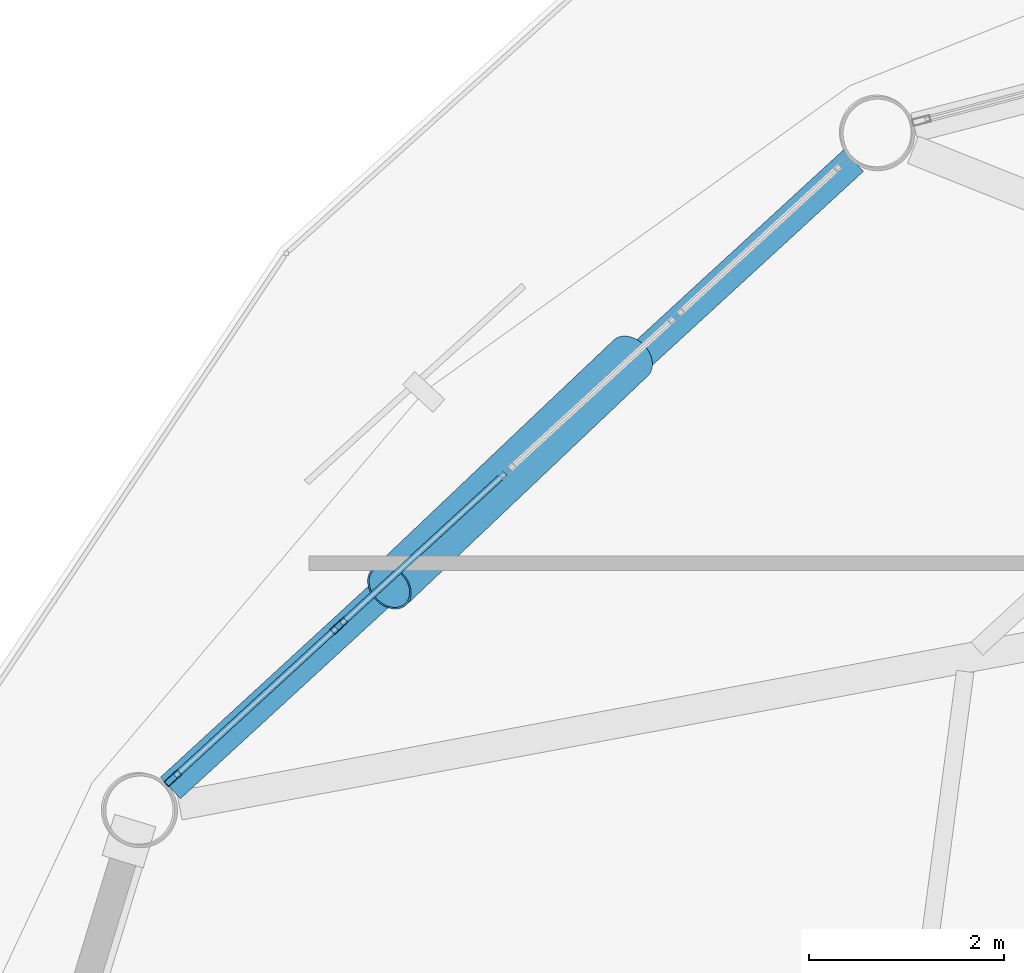
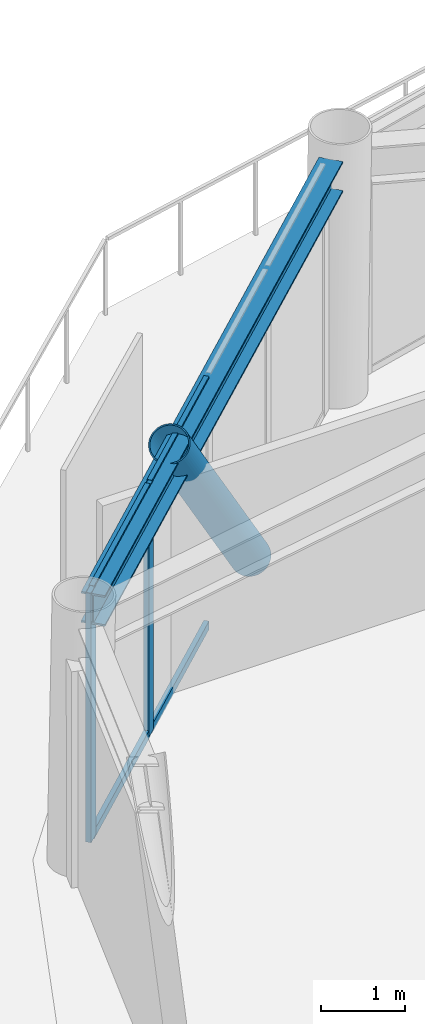
# One storey, part 10 of 23: 7 members, 1 beam, 1 element without a shape of its own.
"""IFC4 building model written with IfcOpenShell, lengths in metres."""

from ifc_helpers import new_model, si_unit, direction, frame, origin, origin_2d, place, context, subcontext, project, spatial, hollow_rectangle, hollow_circle, i_section, extrude, material, layer, layer_set, material_profile, profile_set, type_object, element, aggregate, save


model = new_model("IFC4")

# Units and contexts
model_context = context("Model", 3, precision=1e-05, world=origin(), true_north=direction((0.0, 1.0)))
body_context = subcontext(model_context, "Body", "Model", "MODEL_VIEW")
ifc_project = project(units=[si_unit("LENGTHUNIT", "METRE"), si_unit("AREAUNIT", "SQUARE_METRE"), si_unit("VOLUMEUNIT", "CUBIC_METRE"), si_unit("PLANEANGLEUNIT", "RADIAN"), si_unit("MASSUNIT", "GRAM", prefix="KILO")], contexts=[model_context])

# Site, building, storey
site_placement = place(None, origin())
site = spatial("IfcSite", under=ifc_project, at=site_placement, CompositionType="ELEMENT")
building_placement = place(site_placement, origin())
building = spatial("IfcBuilding", under=site, at=building_placement, Name="Varnakorn Sky Granary", CompositionType="ELEMENT")
storey_placement = place(building_placement, frame((0.0, 0.0, 150.0)))
storey = spatial("IfcBuildingStorey", under=building, at=storey_placement, Name="L37", CompositionType="ELEMENT", Elevation=150.0)

# Beam
ifc_material_1 = material(Name="Steel S355JR", Category="steel")
ifc_material_profile_1 = material_profile(ifc_material_1, i_section(OverallWidth=0.300048828125, OverallDepth=0.449951171875, WebThickness=0.013916015625, FlangeThickness=0.02587890625, at=origin_2d()), Name="HE 450 B")
ifc_profile_set_1 = profile_set([ifc_material_profile_1], Name="Steel S355JR")
beam_type = type_object("IfcBeamType", Name="BM-SPD-Z3", PredefinedType="SPANDREL", material=ifc_profile_set_1)
beam_placement = place(storey_placement, frame((-12.060546875, 16.12451171875, 3.4150390625), z_axis=(-0.736482578833, -0.676456510853, 0.0), x_axis=(0.676456510853, -0.736482578833, 0.0)))
element("IfcBeam", 1, at=beam_placement, inside=storey, type_object=beam_type, Name="Perimeter Spandrel Ring Beam RB05 L37", PredefinedType="SPANDREL", context=body_context, shape_type="SweptSolid", body=[
    extrude(i_section(OverallWidth=0.300048828125, OverallDepth=0.449951171875, WebThickness=0.013916015625, FlangeThickness=0.02587890625, at=origin_2d()), origin(), (0.0, 0.0, 1.0), 9.4970703125),
])

# Curtain wall, members
ifc_material_2 = material(Name="Anodised Bronze Aluminium Alloy 6063-T6", Category="aluminium")
ifc_layer = layer(ifc_material_2, 0.179931640625, Name="Anodised Bronze Aluminium Alloy 6063-T6")
ifc_layer_set = layer_set([ifc_layer], Name="Anodised Bronze Aluminium Alloy 6063-T6")
curtain_wall_type = type_object("IfcCurtainWallType", Name="CW-FRM-2", PredefinedType="USERDEFINED", material=ifc_layer_set)
curtain_wall_placement = place(storey_placement, origin())
curtain_wall = element("IfcCurtainWall", 2, at=curtain_wall_placement, inside=storey, type_object=curtain_wall_type, Name="Unitised Curtain Wall CW4 CW-L37-B05", ObjectType="CURTAIN WALL", PredefinedType="USERDEFINED")
ifc_material_profile_2 = material_profile(ifc_material_2, hollow_rectangle(XDim=0.070068359375, YDim=0.18505859375, WallThickness=0.00390625, at=origin_2d()), Name="ALU MULL 70x185")
ifc_profile_set_2 = profile_set([ifc_material_profile_2], Name="Anodised Bronze Aluminium Alloy 6063-T6")
member_type_1 = type_object("IfcMemberType", Name="CW-FRM-2-MULL", PredefinedType="MULLION", material=ifc_profile_set_2)
member_1_placement = place(storey_placement, frame((-19.031005859375, 9.79833984375, 0.0), z_axis=(0.0, 0.0, 1.0), x_axis=(-0.676226227357, 0.736694027012, 0.0)))
member_1 = element("IfcMember", 3, at=member_1_placement, type_object=member_type_1, Name="CW4 mullion 1", PredefinedType="MULLION", context=body_context, shape_type="SweptSolid", body=[
    extrude(hollow_rectangle(XDim=0.070068359375, YDim=0.18505859375, WallThickness=0.00390625, at=origin_2d()), origin(), (0.0, 0.0, 1.0), 3.639892578125),
])
member_2_placement = place(storey_placement, frame((-17.329833984375, 11.35986328125, 0.0), z_axis=(0.0, 0.0, 1.0), x_axis=(-0.676226227357, 0.736694027012, 0.0)))
member_2 = element("IfcMember", 4, at=member_2_placement, type_object=member_type_1, Name="CW4 mullion 2", PredefinedType="MULLION", context=body_context, shape_type="SweptSolid", body=[
    extrude(hollow_rectangle(XDim=0.070068359375, YDim=0.18505859375, WallThickness=0.00390625, at=origin_2d()), origin(), (0.0, 0.0, 1.0), 3.639892578125),
])
ifc_material_profile_3 = material_profile(ifc_material_2, hollow_rectangle(XDim=0.06494140625, YDim=0.1201171875, WallThickness=0.00341796875, at=origin_2d()), Name="ALU TRAN 65x120")
ifc_profile_set_3 = profile_set([ifc_material_profile_3], Name="Anodised Bronze Aluminium Alloy 6063-T6")
member_type_2 = type_object("IfcMemberType", Name="CW-FRM-2-TRAN", PredefinedType="USERDEFINED", material=ifc_profile_set_3)
member_3_placement = place(storey_placement, frame((-19.005126953125, 9.822021484375, 0.032470703125), z_axis=(0.73666512499, 0.676257712432, 0.0), x_axis=(-0.676257712432, 0.73666512499, 0.0)))
member_3 = element("IfcMember", 5, at=member_3_placement, type_object=member_type_2, Name="CW4 transom 1.1", ObjectType="TRANSOM", PredefinedType="USERDEFINED", context=body_context, shape_type="SweptSolid", body=[
    extrude(hollow_rectangle(XDim=0.06494140625, YDim=0.1201171875, WallThickness=0.00341796875, at=origin_2d()), origin(), (0.0, 0.0, 1.0), 2.239013671875),
])
member_4_placement = place(storey_placement, frame((-19.005126953125, 9.822021484375, 3.607421875), z_axis=(0.73666512499, 0.676257712432, 0.0), x_axis=(-0.676257712432, 0.73666512499, 0.0)))
member_4 = element("IfcMember", 6, at=member_4_placement, type_object=member_type_2, Name="CW4 transom 1.2", ObjectType="TRANSOM", PredefinedType="USERDEFINED", context=body_context, shape_type="SweptSolid", body=[
    extrude(hollow_rectangle(XDim=0.06494140625, YDim=0.1201171875, WallThickness=0.00341796875, at=origin_2d()), origin(), (0.0, 0.0, 1.0), 2.239013671875),
])
member_5_placement = place(storey_placement, frame((-17.303955078125, 11.383544921875, 0.032470703125), z_axis=(0.736681590659, 0.676239775512, 0.0), x_axis=(-0.676239775512, 0.736681590659, 0.0)))
member_5 = element("IfcMember", 7, at=member_5_placement, type_object=member_type_2, Name="CW4 transom 2.1", ObjectType="TRANSOM", PredefinedType="USERDEFINED", context=body_context, shape_type="SweptSolid", body=[
    extrude(hollow_rectangle(XDim=0.06494140625, YDim=0.1201171875, WallThickness=0.00341796875, at=origin_2d()), origin(), (0.0, 0.0, 1.0), 2.274169921875),
])
member_6_placement = place(storey_placement, frame((-17.303955078125, 11.383544921875, 3.607421875), z_axis=(0.736681590659, 0.676239775512, 0.0), x_axis=(-0.676239775512, 0.736681590659, 0.0)))
member_6 = element("IfcMember", 8, at=member_6_placement, type_object=member_type_2, Name="CW4 transom 2.2", ObjectType="TRANSOM", PredefinedType="USERDEFINED", context=body_context, shape_type="SweptSolid", body=[
    extrude(hollow_rectangle(XDim=0.06494140625, YDim=0.1201171875, WallThickness=0.00341796875, at=origin_2d()), origin(), (0.0, 0.0, 1.0), 2.274169921875),
])
aggregate(curtain_wall, [member_1, member_2, member_3, member_4, member_5, member_6])

# Member
ifc_material_3 = material(Name="Steel S460M", Category="steel")
ifc_material_profile_4 = material_profile(ifc_material_3, hollow_circle(Radius=0.25390625, WallThickness=0.01806640625, at=origin_2d()), Name="CHS 508x18")
ifc_profile_set_4 = profile_set([ifc_material_profile_4], Name="Steel S460M")
member_type_3 = type_object("IfcMemberType", Name="MB-DIAG-T2", PredefinedType="BRACE", material=ifc_profile_set_4)
member_7_placement = place(storey_placement, frame((-14.34326171875, 14.101318359375, -0.1298828125), z_axis=(-0.475761741286, -0.451167158831, 0.755048978757), x_axis=(0.688102651653, -0.725613354886, 0.0)))
element("IfcMember", 9, at=member_7_placement, inside=storey, type_object=member_type_3, Name="Perimeter CHS Diagrid Brace DG05 L37", PredefinedType="BRACE", context=body_context, shape_type="SweptSolid", body=[
    extrude(hollow_circle(Radius=0.25390625, WallThickness=0.01806640625, at=origin_2d()), origin(), (0.0, 0.0, 1.0), 5.191650390625),
])

save(model, "model.ifc")
